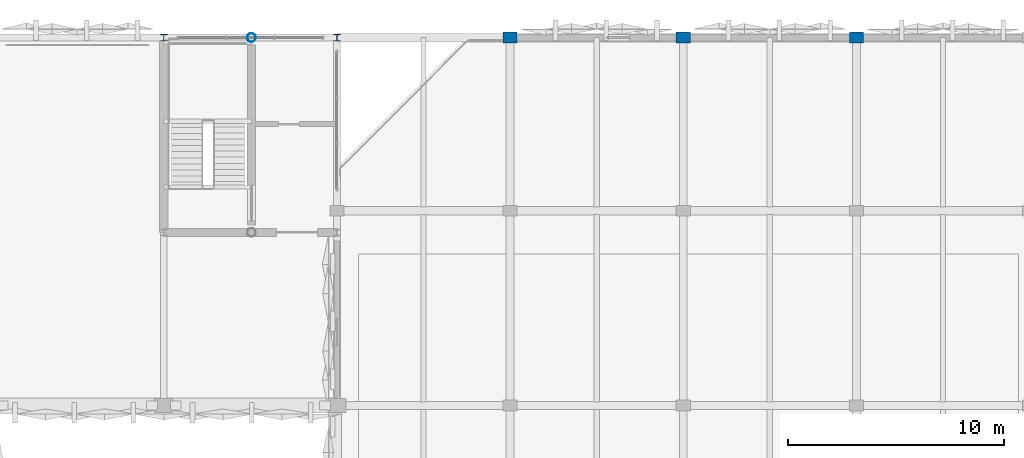
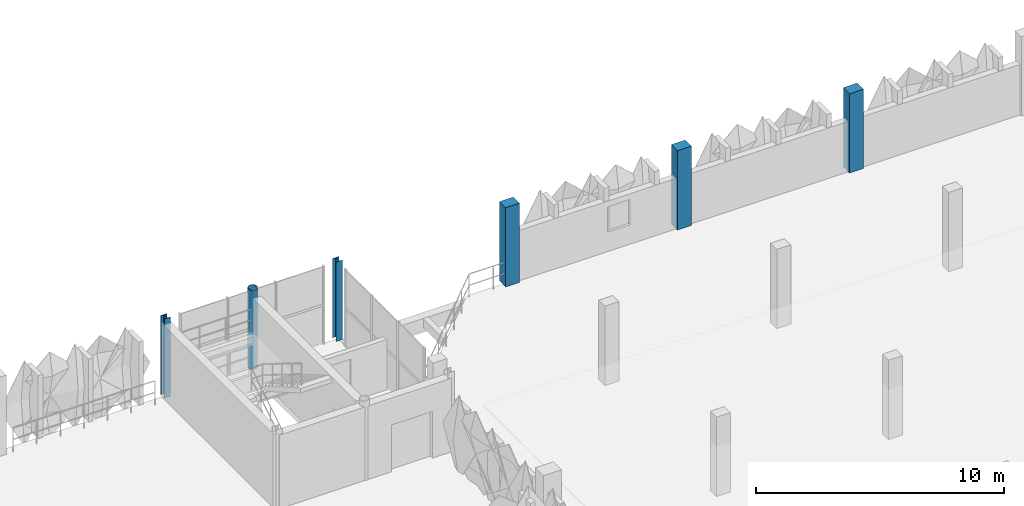
# One storey, part 9 of 83: 6 columns.
"""IFC4 building model written with IfcOpenShell, lengths in metres."""

import ifcopenshell
import ifcopenshell.guid

model = None  # the IFC model being written
_history = None  # IfcOwnerHistory: only IFC2X3 demands one
_inside = {}  # id of a spatial element -> (the spatial element, [elements in it])
_under = {}  # id of a project, library or spatial element -> (it, [spatial elements below it])
_declared = {}  # id of a project -> (the project, [libraries it declares])
_typed = {}  # id of a type object -> (the type object, [elements of that type])
_made_of = {}  # id of a material, layer set ... -> (it, [elements and type objects made of it])


def new_model(schema):
    """Start an empty IFC model of exactly this schema.

    Asked for "IFC4X3", IfcOpenShell would pick the latest addendum, in which some entities
    have other attributes; the version numbers below select the first issue.
    IFC2X3 requires an IfcOwnerHistory on every rooted entity: one is made here for all.
    """
    global model, _history
    if schema == "IFC4X3":
        model = ifcopenshell.file(schema_version=(4, 3, 0, 0))
    else:
        model = ifcopenshell.file(schema=schema)
    _inside.clear()
    _under.clear()
    _declared.clear()
    _typed.clear()
    _made_of.clear()
    _history = None
    if model.schema == "IFC2X3":
        org = make("IfcOrganization", Name="unknown")
        user = make(
            "IfcPersonAndOrganization",
            ThePerson=make("IfcPerson", FamilyName="unknown"),
            TheOrganization=org,
        )
        app = make(
            "IfcApplication",
            ApplicationDeveloper=org,
            Version="unknown",
            ApplicationFullName="unknown",
            ApplicationIdentifier="unknown",
        )
        _history = make(
            "IfcOwnerHistory",
            OwningUser=user,
            OwningApplication=app,
            ChangeAction="ADDED",
            CreationDate=0,
        )
    return model


def make(cls, **values):
    """One entity of the class cls with the attributes given. An attribute that is None is left unset."""
    return model.create_entity(
        cls, **{name: value for name, value in values.items() if value is not None}
    )


def rooted(cls, **values):
    """An entity with a GlobalId (a new one), such as an element, a storey or a relation."""
    return make(cls, GlobalId=ifcopenshell.guid.new(), OwnerHistory=_history, **values)


def si_unit(unit_type, name, prefix=None):
    """IfcSIUnit, for example si_unit("LENGTHUNIT", "METRE", prefix="MILLI")."""
    return make("IfcSIUnit", UnitType=unit_type, Prefix=prefix, Name=name)


def derived_unit(unit_type, elements):
    """IfcDerivedUnit: a product of units, each with its exponent."""
    return make(
        "IfcDerivedUnit",
        Elements=[
            make("IfcDerivedUnitElement", Unit=unit, Exponent=power)
            for unit, power in elements
        ],
        UnitType=unit_type,
    )


def assignment(units):
    """IfcUnitAssignment: the units of a project."""
    return None if units is None else make("IfcUnitAssignment", Units=units)


def point(xyz):
    """IfcCartesianPoint."""
    return None if xyz is None else make("IfcCartesianPoint", Coordinates=xyz)


def direction(xyz):
    """IfcDirection."""
    return None if xyz is None else make("IfcDirection", DirectionRatios=xyz)


def frame(location, z_axis=None, x_axis=None):
    """IfcAxis2Placement3D, a coordinate frame: its origin and axes. An axis left out is left unset."""
    return make(
        "IfcAxis2Placement3D",
        Location=point(location),
        Axis=direction(z_axis),
        RefDirection=direction(x_axis),
    )


def frame_2d(location, x_axis=None):
    """IfcAxis2Placement2D, a coordinate frame in the plane: its origin and x axis."""
    return make(
        "IfcAxis2Placement2D", Location=point(location), RefDirection=direction(x_axis)
    )


def origin():
    """The frame at (0, 0, 0) with its axes left unset."""
    return frame((0.0, 0.0, 0.0))


def origin_2d():
    """The frame at (0, 0) in the plane with its x axis left unset."""
    return frame_2d((0.0, 0.0))


def place(relative_to, where):
    """IfcLocalPlacement: puts the frame where relative to a parent placement (None: the world)."""
    return make(
        "IfcLocalPlacement", PlacementRelTo=relative_to, RelativePlacement=where
    )


def context(
    kind, dimensions, precision=None, world=None, true_north=None, identifier=None
):
    """IfcGeometricRepresentationContext, for example the 3D "Model" context."""
    return make(
        "IfcGeometricRepresentationContext",
        ContextIdentifier=identifier,
        ContextType=kind,
        CoordinateSpaceDimension=dimensions,
        Precision=precision,
        WorldCoordinateSystem=world,
        TrueNorth=true_north,
    )


def subcontext(parent, identifier, kind, view, scale=None):
    """IfcGeometricRepresentationSubContext, for example "Body" below "Model"."""
    return make(
        "IfcGeometricRepresentationSubContext",
        ContextIdentifier=identifier,
        ContextType=kind,
        ParentContext=parent,
        TargetScale=scale,
        TargetView=view,
    )


def project(units=None, contexts=None):
    """IfcProject with its units and contexts."""
    return rooted(
        "IfcProject",
        Name="project",
        RepresentationContexts=contexts,
        UnitsInContext=assignment(units),
    )


def spatial(cls, under=None, at=None, **own):
    """A site, building, storey or space (cls), placed at a placement, below another one or the project."""
    s = rooted(cls, ObjectPlacement=at, **own)
    if under is not None:
        _under.setdefault(under.id(), (under, []))[1].append(s)
    return s


def profile(cls, at=None, kind="AREA", **sizes):
    """A parametric profile (cls). Its sizes go by their IFC names, for example OverallWidth=200.0."""
    return make(cls, ProfileType=kind, Position=at, **sizes)


def rectangle(**sizes):
    """IfcRectangleProfileDef."""
    return profile("IfcRectangleProfileDef", **sizes)


def hollow_circle(**sizes):
    """IfcCircleHollowProfileDef."""
    return profile("IfcCircleHollowProfileDef", **sizes)


def i_section(**sizes):
    """IfcIShapeProfileDef."""
    return profile("IfcIShapeProfileDef", **sizes)


def extrude(swept, where, along, depth):
    """IfcExtrudedAreaSolid: the profile swept, set in the frame where, extruded along a direction by depth."""
    return make(
        "IfcExtrudedAreaSolid",
        SweptArea=swept,
        Position=where,
        ExtrudedDirection=direction(along),
        Depth=depth,
    )


def shape(context_of_items, identifier, shape_type, items):
    """IfcShapeRepresentation: the items that make up one representation, for example the "Body"."""
    return make(
        "IfcShapeRepresentation",
        ContextOfItems=context_of_items,
        RepresentationIdentifier=identifier,
        RepresentationType=shape_type,
        Items=items,
    )


def material(Name=None, Category=None):
    """IfcMaterial."""
    return make("IfcMaterial", Name=Name, Category=Category)


def material_profile(
    of_material, cross_section, Name=None, Category=None, Priority=None
):
    """IfcMaterialProfile: a cross section and its material."""
    return make(
        "IfcMaterialProfile",
        Name=Name,
        Material=of_material,
        Profile=cross_section,
        Priority=Priority,
        Category=Category,
    )


def profile_set(profiles, Name=None, composite=None):
    """IfcMaterialProfileSet."""
    return make(
        "IfcMaterialProfileSet",
        Name=Name,
        MaterialProfiles=profiles,
        CompositeProfile=composite,
    )


def made_of(thing, what):
    """Note that an element or type object is made of a material, layer set ...; save() writes the relation."""
    if what is not None:
        _made_of.setdefault(what.id(), (what, []))[1].append(thing)
    return thing


def type_object(cls, material=None, **own):
    """A type object (cls), such as IfcWallType, which elements share."""
    return made_of(rooted(cls, **own), material)


def element(
    cls,
    number,
    at=None,
    inside=None,
    cuts=None,
    type_object=None,
    material=None,
    context=None,
    identifier="Body",
    shape_type=None,
    held_by="IfcProductDefinitionShape",
    body=None,
    shapes=None,
    **own,
):
    """One element of the class cls, such as IfcWall. Its Tag is "e" and its number.

    at: its placement. inside: the storey or other place that contains it. cuts: it is an
    opening in that element (IfcRelVoidsElement). A single representation is given by context,
    identifier, shape_type and body (its items); several are given by shapes. held_by: the class
    of the entity that holds the representations. save() writes the other relations.
    """
    e = rooted(cls, Tag="e%d" % number, ObjectPlacement=at, **own)
    if body is not None:
        shapes = [shape(context, identifier, shape_type, body)]
    if shapes is not None:
        e.Representation = make(held_by, Representations=shapes)
    if inside is not None:
        _inside.setdefault(inside.id(), (inside, []))[1].append(e)
    if cuts is not None:
        rooted(
            "IfcRelVoidsElement", RelatingBuildingElement=cuts, RelatedOpeningElement=e
        )
    if type_object is not None:
        _typed.setdefault(type_object.id(), (type_object, []))[1].append(e)
    return made_of(e, material)


def aggregate(whole, parts):
    """IfcRelAggregates: a whole, such as a stair, and the parts it consists of."""
    return rooted("IfcRelAggregates", RelatingObject=whole, RelatedObjects=parts)


def save(model, path):
    """Write the relations noted so far, then the file.

    IfcRelAggregates (storeys below a building ...), IfcRelContainedInSpatialStructure (elements
    in a storey), IfcRelDefinesByType, IfcRelAssociatesMaterial and IfcRelDeclares: one each for
    every whole, place, type object, material and project.
    """
    for whole, parts in _under.values():
        aggregate(whole, parts)
    for where, things in _inside.values():
        rooted(
            "IfcRelContainedInSpatialStructure",
            RelatedElements=things,
            RelatingStructure=where,
        )
    for kind, things in _typed.values():
        rooted("IfcRelDefinesByType", RelatedObjects=things, RelatingType=kind)
    for what, things in _made_of.values():
        rooted("IfcRelAssociatesMaterial", RelatedObjects=things, RelatingMaterial=what)
    for by, libraries in _declared.values():
        rooted("IfcRelDeclares", RelatingContext=by, RelatedDefinitions=libraries)
    model.write(path)


model = new_model("IFC4")

# Units and contexts
model_context = context("Model", 3, precision=1e-05, world=origin(), true_north=direction((0.0, 1.0)))
body_context = subcontext(model_context, "Body", "Model", "MODEL_VIEW")
ifc_project = project(units=[si_unit("LENGTHUNIT", "METRE"), si_unit("AREAUNIT", "SQUARE_METRE"), si_unit("VOLUMEUNIT", "CUBIC_METRE"), si_unit("PLANEANGLEUNIT", "RADIAN"), si_unit("MASSUNIT", "GRAM", prefix="KILO"), si_unit("THERMODYNAMICTEMPERATUREUNIT", "KELVIN"), derived_unit("THERMALTRANSMITTANCEUNIT", [(si_unit("POWERUNIT", "WATT"), 1), (si_unit("AREAUNIT", "SQUARE_METRE"), -1), (si_unit("THERMODYNAMICTEMPERATUREUNIT", "KELVIN"), -1)])], contexts=[model_context])

# Site, building, storey
site_placement = place(None, origin())
site = spatial("IfcSite", under=ifc_project, at=site_placement, CompositionType="ELEMENT")
building_placement = place(site_placement, origin())
building = spatial("IfcBuilding", under=site, at=building_placement, Name="Haiyu Intermodal Mobility Hub", CompositionType="ELEMENT")
storey_placement = place(building_placement, frame((0.0, 0.0, 13.39990234375)))
storey = spatial("IfcBuildingStorey", under=building, at=storey_placement, Name="L03", CompositionType="ELEMENT", Elevation=13.39990234375)

# Columns
ifc_material_1 = material(Name="Concrete C40", Category="concrete")
ifc_material_profile_1 = material_profile(ifc_material_1, rectangle(XDim=0.64990234375, YDim=0.5, at=origin_2d()), Name="C650x500")
ifc_profile_set_1 = profile_set([ifc_material_profile_1], Name="Concrete C40")
column_type_1 = type_object("IfcColumnType", Name="COL-CC17-EXT", PredefinedType="COLUMN", material=ifc_profile_set_1)
for number, where, z_axis, x_axis, name in (
    (1, (170.0, 148.0, 0.0), (0.0, 0.0, 1.0), (1.0, 0.0, 0.0), "Column V6-19S L03"),
    (2, (178.0, 148.0, 0.0), (0.0, 0.0, 1.0), (1.0, 0.0, 0.0), "Column V6-20S L03"),
    (3, (186.0, 148.0, 0.0), (0.0, 0.0, 1.0), (1.0, 0.0, 0.0), "Column V6-21S L03"),
):
    element("IfcColumn", number, at=place(storey_placement, frame(where, z_axis=z_axis, x_axis=x_axis)), inside=storey, type_object=column_type_1, Name=name, PredefinedType="COLUMN", context=body_context, shape_type="SweptSolid", body=[
        extrude(rectangle(XDim=0.64990234375, YDim=0.5, at=origin_2d()), origin(), (0.0, 0.0, 1.0), 3.900146484375),
    ])
ifc_material_2 = material(Name="Steel Q355C", Category="steel")
ifc_material_profile_2 = material_profile(ifc_material_2, hollow_circle(Radius=0.202880859375, WallThickness=0.013916015625, at=origin_2d()), Name="CHS406x14")
ifc_profile_set_2 = profile_set([ifc_material_profile_2], Name="Steel Q355C")
column_type_2 = type_object("IfcColumnType", Name="COL-SC03-EXT", PredefinedType="COLUMN", material=ifc_profile_set_2)
column_placement = place(storey_placement, frame((158.050048828125, 148.0, 0.0), z_axis=(0.0, 0.0, 1.0), x_axis=(1.0, 0.0, 0.0)))
element("IfcColumn", 4, at=column_placement, inside=storey, type_object=column_type_2, Name="Column C4-MN L03", PredefinedType="COLUMN", context=body_context, shape_type="SweptSolid", body=[
    extrude(hollow_circle(Radius=0.202880859375, WallThickness=0.013916015625, at=origin_2d()), origin(), (0.0, 0.0, 1.0), 3.900146484375),
])
ifc_material_profile_3 = material_profile(ifc_material_2, i_section(OverallWidth=0.300048828125, OverallDepth=0.300048828125, WebThickness=0.010009765625, FlangeThickness=0.014892578125, FilletRadius=0.01806640625, at=origin_2d()), Name="HW300x300x10x15")
ifc_profile_set_3 = profile_set([ifc_material_profile_3], Name="Steel Q355C")
column_type_3 = type_object("IfcColumnType", Name="COL-SC07-EXT", PredefinedType="COLUMN", material=ifc_profile_set_3)
for number, where, z_axis, x_axis, name in (
    (5, (154.0, 148.0, 0.0), (0.0, 0.0, 1.0), (1.0, 0.0, 0.0), "Column C4-NW L03"),
    (6, (162.0, 148.0, 0.0), (0.0, 0.0, 1.0), (1.0, 0.0, 0.0), "Column C4-NE L03"),
):
    element("IfcColumn", number, at=place(storey_placement, frame(where, z_axis=z_axis, x_axis=x_axis)), inside=storey, type_object=column_type_3, Name=name, PredefinedType="COLUMN", context=body_context, shape_type="SweptSolid", body=[
        extrude(i_section(OverallWidth=0.300048828125, OverallDepth=0.300048828125, WebThickness=0.010009765625, FlangeThickness=0.014892578125, FilletRadius=0.01806640625, at=origin_2d()), origin(), (0.0, 0.0, 1.0), 3.900146484375),
    ])

save(model, "model.ifc")
